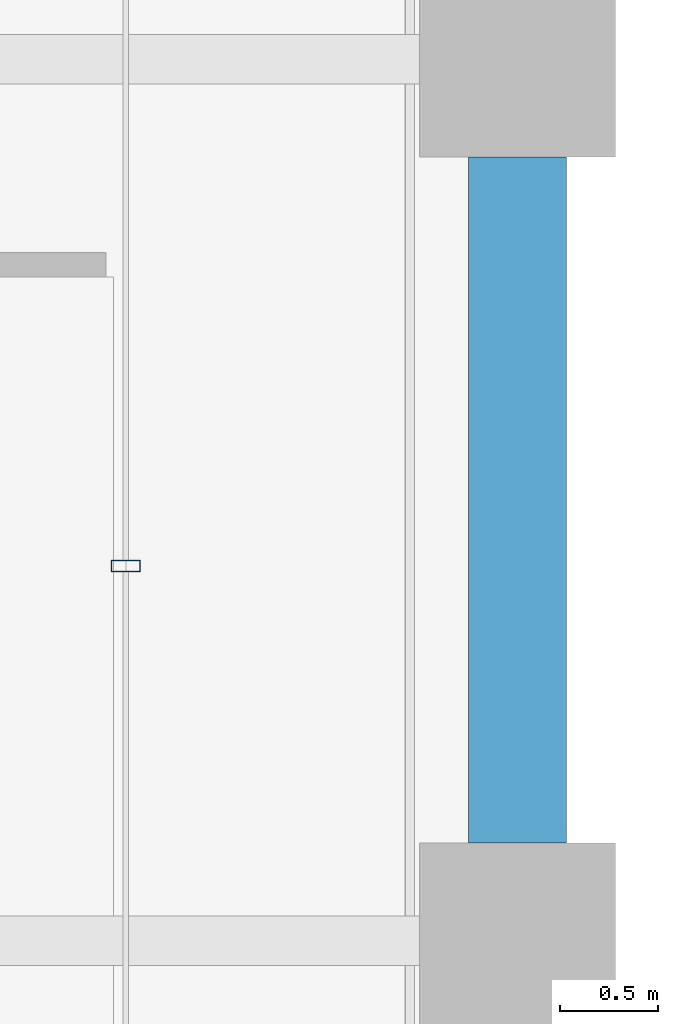
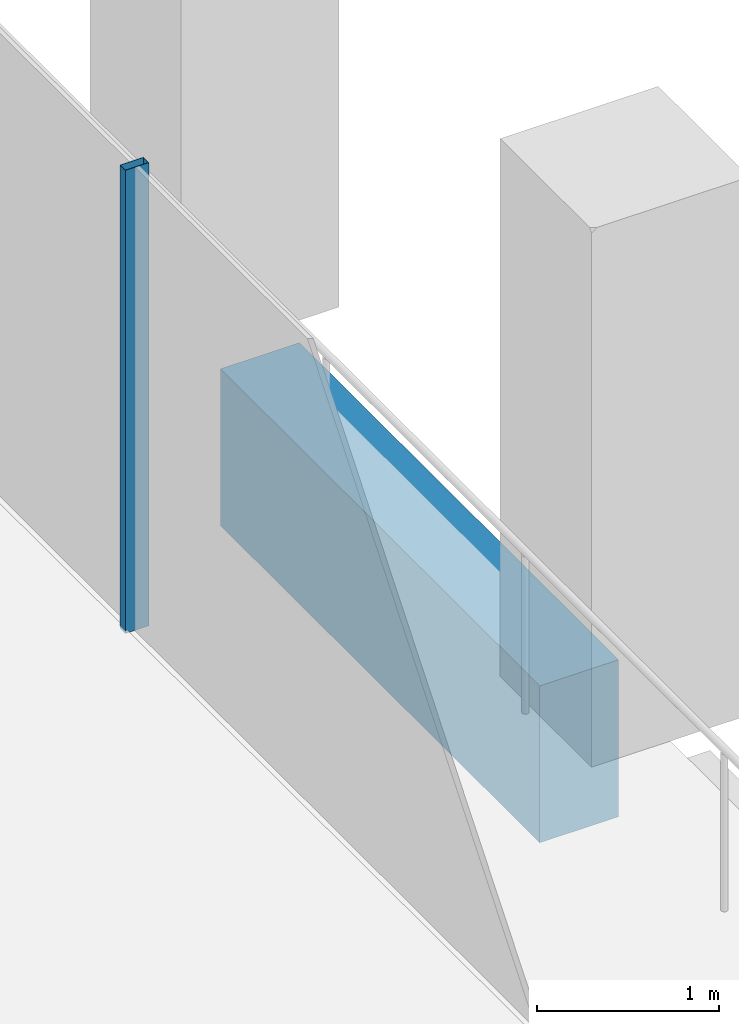
# One storey, part 17 of 45: 1 beam, 1 member, 1 element without a shape of its own.
"""IFC4 building model written with IfcOpenShell, lengths in metres."""

import ifcopenshell
import ifcopenshell.guid

model = None  # the IFC model being written
_history = None  # IfcOwnerHistory: only IFC2X3 demands one
_inside = {}  # id of a spatial element -> (the spatial element, [elements in it])
_under = {}  # id of a project, library or spatial element -> (it, [spatial elements below it])
_declared = {}  # id of a project -> (the project, [libraries it declares])
_typed = {}  # id of a type object -> (the type object, [elements of that type])
_made_of = {}  # id of a material, layer set ... -> (it, [elements and type objects made of it])


def new_model(schema):
    """Start an empty IFC model of exactly this schema.

    Asked for "IFC4X3", IfcOpenShell would pick the latest addendum, in which some entities
    have other attributes; the version numbers below select the first issue.
    IFC2X3 requires an IfcOwnerHistory on every rooted entity: one is made here for all.
    """
    global model, _history
    if schema == "IFC4X3":
        model = ifcopenshell.file(schema_version=(4, 3, 0, 0))
    else:
        model = ifcopenshell.file(schema=schema)
    _inside.clear()
    _under.clear()
    _declared.clear()
    _typed.clear()
    _made_of.clear()
    _history = None
    if model.schema == "IFC2X3":
        org = make("IfcOrganization", Name="unknown")
        user = make(
            "IfcPersonAndOrganization",
            ThePerson=make("IfcPerson", FamilyName="unknown"),
            TheOrganization=org,
        )
        app = make(
            "IfcApplication",
            ApplicationDeveloper=org,
            Version="unknown",
            ApplicationFullName="unknown",
            ApplicationIdentifier="unknown",
        )
        _history = make(
            "IfcOwnerHistory",
            OwningUser=user,
            OwningApplication=app,
            ChangeAction="ADDED",
            CreationDate=0,
        )
    return model


def make(cls, **values):
    """One entity of the class cls with the attributes given. An attribute that is None is left unset."""
    return model.create_entity(
        cls, **{name: value for name, value in values.items() if value is not None}
    )


def rooted(cls, **values):
    """An entity with a GlobalId (a new one), such as an element, a storey or a relation."""
    return make(cls, GlobalId=ifcopenshell.guid.new(), OwnerHistory=_history, **values)


def si_unit(unit_type, name, prefix=None):
    """IfcSIUnit, for example si_unit("LENGTHUNIT", "METRE", prefix="MILLI")."""
    return make("IfcSIUnit", UnitType=unit_type, Prefix=prefix, Name=name)


def assignment(units):
    """IfcUnitAssignment: the units of a project."""
    return None if units is None else make("IfcUnitAssignment", Units=units)


def point(xyz):
    """IfcCartesianPoint."""
    return None if xyz is None else make("IfcCartesianPoint", Coordinates=xyz)


def direction(xyz):
    """IfcDirection."""
    return None if xyz is None else make("IfcDirection", DirectionRatios=xyz)


def frame(location, z_axis=None, x_axis=None):
    """IfcAxis2Placement3D, a coordinate frame: its origin and axes. An axis left out is left unset."""
    return make(
        "IfcAxis2Placement3D",
        Location=point(location),
        Axis=direction(z_axis),
        RefDirection=direction(x_axis),
    )


def frame_2d(location, x_axis=None):
    """IfcAxis2Placement2D, a coordinate frame in the plane: its origin and x axis."""
    return make(
        "IfcAxis2Placement2D", Location=point(location), RefDirection=direction(x_axis)
    )


def origin():
    """The frame at (0, 0, 0) with its axes left unset."""
    return frame((0.0, 0.0, 0.0))


def origin_2d():
    """The frame at (0, 0) in the plane with its x axis left unset."""
    return frame_2d((0.0, 0.0))


def place(relative_to, where):
    """IfcLocalPlacement: puts the frame where relative to a parent placement (None: the world)."""
    return make(
        "IfcLocalPlacement", PlacementRelTo=relative_to, RelativePlacement=where
    )


def context(
    kind, dimensions, precision=None, world=None, true_north=None, identifier=None
):
    """IfcGeometricRepresentationContext, for example the 3D "Model" context."""
    return make(
        "IfcGeometricRepresentationContext",
        ContextIdentifier=identifier,
        ContextType=kind,
        CoordinateSpaceDimension=dimensions,
        Precision=precision,
        WorldCoordinateSystem=world,
        TrueNorth=true_north,
    )


def subcontext(parent, identifier, kind, view, scale=None):
    """IfcGeometricRepresentationSubContext, for example "Body" below "Model"."""
    return make(
        "IfcGeometricRepresentationSubContext",
        ContextIdentifier=identifier,
        ContextType=kind,
        ParentContext=parent,
        TargetScale=scale,
        TargetView=view,
    )


def project(units=None, contexts=None):
    """IfcProject with its units and contexts."""
    return rooted(
        "IfcProject",
        Name="project",
        RepresentationContexts=contexts,
        UnitsInContext=assignment(units),
    )


def spatial(cls, under=None, at=None, **own):
    """A site, building, storey or space (cls), placed at a placement, below another one or the project."""
    s = rooted(cls, ObjectPlacement=at, **own)
    if under is not None:
        _under.setdefault(under.id(), (under, []))[1].append(s)
    return s


def profile(cls, at=None, kind="AREA", **sizes):
    """A parametric profile (cls). Its sizes go by their IFC names, for example OverallWidth=200.0."""
    return make(cls, ProfileType=kind, Position=at, **sizes)


def rectangle(**sizes):
    """IfcRectangleProfileDef."""
    return profile("IfcRectangleProfileDef", **sizes)


def hollow_rectangle(**sizes):
    """IfcRectangleHollowProfileDef."""
    return profile("IfcRectangleHollowProfileDef", **sizes)


def extrude(swept, where, along, depth):
    """IfcExtrudedAreaSolid: the profile swept, set in the frame where, extruded along a direction by depth."""
    return make(
        "IfcExtrudedAreaSolid",
        SweptArea=swept,
        Position=where,
        ExtrudedDirection=direction(along),
        Depth=depth,
    )


def shape(context_of_items, identifier, shape_type, items):
    """IfcShapeRepresentation: the items that make up one representation, for example the "Body"."""
    return make(
        "IfcShapeRepresentation",
        ContextOfItems=context_of_items,
        RepresentationIdentifier=identifier,
        RepresentationType=shape_type,
        Items=items,
    )


def material(Name=None, Category=None):
    """IfcMaterial."""
    return make("IfcMaterial", Name=Name, Category=Category)


def material_profile(
    of_material, cross_section, Name=None, Category=None, Priority=None
):
    """IfcMaterialProfile: a cross section and its material."""
    return make(
        "IfcMaterialProfile",
        Name=Name,
        Material=of_material,
        Profile=cross_section,
        Priority=Priority,
        Category=Category,
    )


def profile_set(profiles, Name=None, composite=None):
    """IfcMaterialProfileSet."""
    return make(
        "IfcMaterialProfileSet",
        Name=Name,
        MaterialProfiles=profiles,
        CompositeProfile=composite,
    )


def made_of(thing, what):
    """Note that an element or type object is made of a material, layer set ...; save() writes the relation."""
    if what is not None:
        _made_of.setdefault(what.id(), (what, []))[1].append(thing)
    return thing


def type_object(cls, material=None, **own):
    """A type object (cls), such as IfcWallType, which elements share."""
    return made_of(rooted(cls, **own), material)


def element(
    cls,
    number,
    at=None,
    inside=None,
    cuts=None,
    type_object=None,
    material=None,
    context=None,
    identifier="Body",
    shape_type=None,
    held_by="IfcProductDefinitionShape",
    body=None,
    shapes=None,
    **own,
):
    """One element of the class cls, such as IfcWall. Its Tag is "e" and its number.

    at: its placement. inside: the storey or other place that contains it. cuts: it is an
    opening in that element (IfcRelVoidsElement). A single representation is given by context,
    identifier, shape_type and body (its items); several are given by shapes. held_by: the class
    of the entity that holds the representations. save() writes the other relations.
    """
    e = rooted(cls, Tag="e%d" % number, ObjectPlacement=at, **own)
    if body is not None:
        shapes = [shape(context, identifier, shape_type, body)]
    if shapes is not None:
        e.Representation = make(held_by, Representations=shapes)
    if inside is not None:
        _inside.setdefault(inside.id(), (inside, []))[1].append(e)
    if cuts is not None:
        rooted(
            "IfcRelVoidsElement", RelatingBuildingElement=cuts, RelatedOpeningElement=e
        )
    if type_object is not None:
        _typed.setdefault(type_object.id(), (type_object, []))[1].append(e)
    return made_of(e, material)


def aggregate(whole, parts):
    """IfcRelAggregates: a whole, such as a stair, and the parts it consists of."""
    return rooted("IfcRelAggregates", RelatingObject=whole, RelatedObjects=parts)


def save(model, path):
    """Write the relations noted so far, then the file.

    IfcRelAggregates (storeys below a building ...), IfcRelContainedInSpatialStructure (elements
    in a storey), IfcRelDefinesByType, IfcRelAssociatesMaterial and IfcRelDeclares: one each for
    every whole, place, type object, material and project.
    """
    for whole, parts in _under.values():
        aggregate(whole, parts)
    for where, things in _inside.values():
        rooted(
            "IfcRelContainedInSpatialStructure",
            RelatedElements=things,
            RelatingStructure=where,
        )
    for kind, things in _typed.values():
        rooted("IfcRelDefinesByType", RelatedObjects=things, RelatingType=kind)
    for what, things in _made_of.values():
        rooted("IfcRelAssociatesMaterial", RelatedObjects=things, RelatingMaterial=what)
    for by, libraries in _declared.values():
        rooted("IfcRelDeclares", RelatingContext=by, RelatedDefinitions=libraries)
    model.write(path)


model = new_model("IFC4")

# Units and contexts
model_context = context("Model", 3, precision=1e-05, world=origin(), true_north=direction((0.0, 1.0)))
body_context = subcontext(model_context, "Body", "Model", "MODEL_VIEW")
ifc_project = project(units=[si_unit("LENGTHUNIT", "METRE"), si_unit("AREAUNIT", "SQUARE_METRE"), si_unit("VOLUMEUNIT", "CUBIC_METRE"), si_unit("PLANEANGLEUNIT", "RADIAN"), si_unit("MASSUNIT", "GRAM", prefix="KILO")], contexts=[model_context])

# Site, building, storey
site_placement = place(None, origin())
site = spatial("IfcSite", under=ifc_project, at=site_placement, CompositionType="ELEMENT")
building_placement = place(site_placement, origin())
building = spatial("IfcBuilding", under=site, at=building_placement, Name="Altepetl Exchange Towers", CompositionType="ELEMENT")
storey_placement = place(building_placement, frame((0.0, 0.0, 110.0)))
storey = spatial("IfcBuildingStorey", under=building, at=storey_placement, Name="L27", CompositionType="ELEMENT", Elevation=110.0)

# Curtain wall, member
ifc_material_1 = material(Name="Aluminium 6063-T6 glazing", Category="aluminium")
curtain_wall_type = type_object("IfcCurtainWallType", Name="Loggia glazing system", PredefinedType="NOTDEFINED", material=ifc_material_1)
curtain_wall_placement = place(storey_placement, origin())
curtain_wall = element("IfcCurtainWall", 1, at=curtain_wall_placement, inside=storey, type_object=curtain_wall_type, Name="CW1 run", PredefinedType="NOTDEFINED")
ifc_material_2 = material(Name="Aluminium 6063-T6", Category="aluminium")
ifc_material_profile_1 = material_profile(ifc_material_2, hollow_rectangle(XDim=0.06005859375, YDim=0.14990234375, WallThickness=0.0029296875, at=origin_2d()), Name="Mullion 60x150 aluminium")
ifc_profile_set_1 = profile_set([ifc_material_profile_1], Name="Aluminium 6063-T6")
member_type = type_object("IfcMemberType", Name="Mullion 60x150 aluminium", PredefinedType="MULLION", material=ifc_profile_set_1)
member_placement = place(storey_placement, frame((70.0, 46.9130859375, 0.0), z_axis=(0.0, 0.0, 1.0), x_axis=(0.0, 1.0, 0.0)))
member = element("IfcMember", 2, at=member_placement, type_object=member_type, Name="MU1 mullion", PredefinedType="MULLION", context=body_context, shape_type="SweptSolid", body=[
    extrude(hollow_rectangle(XDim=0.06005859375, YDim=0.14990234375, WallThickness=0.0029296875, at=origin_2d()), origin(), (0.0, 0.0, 1.0), 3.10009765625),
])
aggregate(curtain_wall, [member])

# Beam
ifc_material_3 = material(Name="Concrete C50/60 precast with cantera amarilla facing", Category="concrete")
ifc_material_profile_2 = material_profile(ifc_material_3, rectangle(XDim=0.5, YDim=1.050048828125, at=origin_2d()), Name="500 x 1050")
ifc_profile_set_2 = profile_set([ifc_material_profile_2], Name="Concrete C50/60 precast with cantera amarilla facing")
beam_type = type_object("IfcBeamType", Name="Spandrel beam 500x1050 cantera amarilla", PredefinedType="SPANDREL", material=ifc_profile_set_2)
beam_placement = place(storey_placement, frame((72.0, 45.5, -0.675048828125), z_axis=(0.0, 1.0, 0.0), x_axis=(-1.0, 0.0, 0.0)))
element("IfcBeam", 3, at=beam_placement, inside=storey, type_object=beam_type, Name="sp:A:L27:015", PredefinedType="SPANDREL", context=body_context, shape_type="SweptSolid", body=[
    extrude(rectangle(XDim=0.5, YDim=1.050048828125, at=origin_2d()), origin(), (0.0, 0.0, 1.0), 3.5),
])

save(model, "model.ifc")
